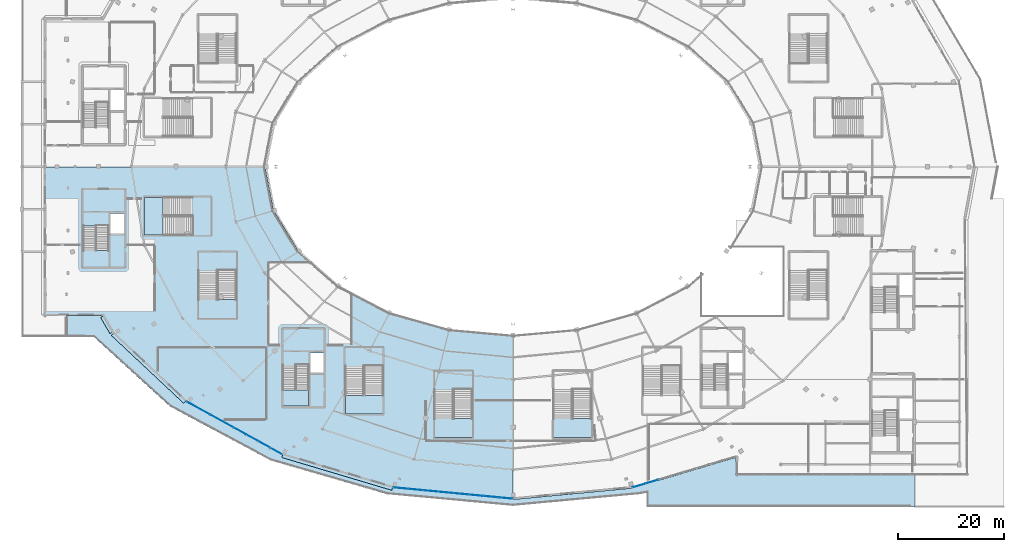
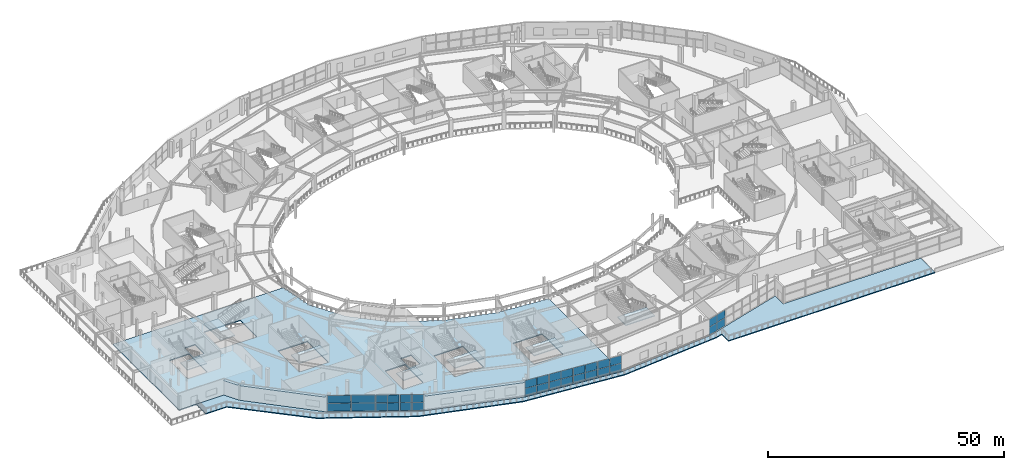
# One storey, part 62 of 107: 35 plates, 9 slabs, 16 elements without a shape of their own.
"""IFC4 building model written with IfcOpenShell, lengths in metres."""

from ifc_helpers import new_model, si_unit, direction, frame, origin, origin_2d, place, context, subcontext, project, spatial, polyline, rectangle, outline, extrude, material, layer, layer_set, type_object, element, aggregate, save


model = new_model("IFC4")

# Units and contexts
model_context = context("Model", 3, precision=1e-05, world=origin(), true_north=direction((0.0, 1.0)))
body_context = subcontext(model_context, "Body", "Model", "MODEL_VIEW")
ifc_project = project(units=[si_unit("LENGTHUNIT", "METRE"), si_unit("AREAUNIT", "SQUARE_METRE"), si_unit("VOLUMEUNIT", "CUBIC_METRE"), si_unit("PLANEANGLEUNIT", "RADIAN"), si_unit("MASSUNIT", "GRAM", prefix="KILO")], contexts=[model_context])

# Site, building, storey
site_placement = place(None, origin())
site = spatial("IfcSite", under=ifc_project, at=site_placement, CompositionType="ELEMENT")
building_placement = place(site_placement, origin())
building = spatial("IfcBuilding", under=site, at=building_placement, Name="Kalgoora Escarpment Arena", CompositionType="ELEMENT")
storey_placement = place(building_placement, frame((0.0, 0.0, 5.39990234375)))
storey = spatial("IfcBuildingStorey", under=building, at=storey_placement, Name="L01", CompositionType="ELEMENT", Elevation=5.39990234375)

# Curtain wall, plates
ifc_material_1 = material(Name=" Champagne anodised aluminium & double-glazed low-E", Category="aluminium")
ifc_layer_1 = layer(ifc_material_1, 0.166015625)
ifc_layer_set_1 = layer_set([ifc_layer_1], Name="CW-UNIT-09")
curtain_wall_type_1 = type_object("IfcCurtainWallType", Name="CW-UNIT-09", PredefinedType="NOTDEFINED", material=ifc_layer_set_1)
curtain_wall_1_placement = place(storey_placement, origin())
curtain_wall_1 = element("IfcCurtainWall", 1, at=curtain_wall_1_placement, inside=storey, type_object=curtain_wall_type_1, Name="L01 unitised facade curtain wall 008", PredefinedType="NOTDEFINED")
ifc_material_2 = material(Name="Low-E double-glazed insulated glass", Category="glass")
ifc_layer_2 = layer(ifc_material_2, 0.028076171875)
ifc_layer_set_2 = layer_set([ifc_layer_2], Name="PLT-CW-GLAZ-28")
plate_type_1 = type_object("IfcPlateType", Name="PLT-CW-GLAZ-28", PredefinedType="CURTAIN_PANEL", material=ifc_layer_set_2)
plate_1_placement = place(storey_placement, frame((118.484619140625, 4.721435546875, 0.080078125), z_axis=(0.0, 0.0, 1.0), x_axis=(-0.958341021905, -0.285626479399, 0.0)))
plate_1 = element("IfcPlate", 2, at=plate_1_placement, type_object=plate_type_1, Name="CW-09 panel 1.1", PredefinedType="CURTAIN_PANEL", context=body_context, shape_type="SweptSolid", body=[
    extrude(rectangle(XDim=2.418701171875, YDim=0.028076171875, at=origin_2d()), origin(), (0.0, 0.0, 1.0), 2.014892578125),
])
plate_2_placement = place(storey_placement, frame((118.484619140625, 4.721435546875, 2.155029296875), z_axis=(0.0, 0.0, 1.0), x_axis=(-0.958341021905, -0.285626479399, 0.0)))
plate_2 = element("IfcPlate", 3, at=plate_2_placement, type_object=plate_type_1, Name="CW-09 panel 1.2", PredefinedType="CURTAIN_PANEL", context=body_context, shape_type="SweptSolid", body=[
    extrude(rectangle(XDim=2.418701171875, YDim=0.028076171875, at=origin_2d()), origin(), (0.0, 0.0, 1.0), 1.9951171875),
])
plate_3_placement = place(storey_placement, frame((116.104248046875, 4.011962890625, 0.080078125), z_axis=(0.0, 0.0, 1.0), x_axis=(-0.958341021905, -0.285626479399, 0.0)))
plate_3 = element("IfcPlate", 4, at=plate_3_placement, type_object=plate_type_1, Name="CW-09 panel 2.1", PredefinedType="CURTAIN_PANEL", context=body_context, shape_type="SweptSolid", body=[
    extrude(rectangle(XDim=2.418701171875, YDim=0.028076171875, at=origin_2d()), origin(), (0.0, 0.0, 1.0), 2.014892578125),
])
plate_4_placement = place(storey_placement, frame((116.104248046875, 4.011962890625, 2.155029296875), z_axis=(0.0, 0.0, 1.0), x_axis=(-0.958341021905, -0.285626479399, 0.0)))
plate_4 = element("IfcPlate", 5, at=plate_4_placement, type_object=plate_type_1, Name="CW-09 panel 2.2", PredefinedType="CURTAIN_PANEL", context=body_context, shape_type="SweptSolid", body=[
    extrude(rectangle(XDim=2.418701171875, YDim=0.028076171875, at=origin_2d()), origin(), (0.0, 0.0, 1.0), 1.9951171875),
])
aggregate(curtain_wall_1, [plate_1, plate_2, plate_3, plate_4])

ifc_material_3 = material(Name=" Champagne anodised aluminium & double-glazed low-E", Category="aluminium")
ifc_layer_3 = layer(ifc_material_3, 0.154052734375)
ifc_layer_set_3 = layer_set([ifc_layer_3], Name="CW-UNIT-11")
curtain_wall_type_2 = type_object("IfcCurtainWallType", Name="CW-UNIT-11", PredefinedType="NOTDEFINED", material=ifc_layer_set_3)
curtain_wall_2_placement = place(storey_placement, origin())
curtain_wall_2 = element("IfcCurtainWall", 6, at=curtain_wall_2_placement, inside=storey, type_object=curtain_wall_type_2, Name="L01 unitised facade curtain wall 010", PredefinedType="NOTDEFINED")
plate_5_placement = place(storey_placement, frame((85.334716796875, 2.189697265625, 0.0751953125), z_axis=(0.0, 0.0, 1.0), x_axis=(-0.995543729213, 0.094301024516, 0.0)))
plate_5 = element("IfcPlate", 7, at=plate_5_placement, type_object=plate_type_1, Name="CW-11 panel 1.1", PredefinedType="CURTAIN_PANEL", context=body_context, shape_type="SweptSolid", body=[
    extrude(rectangle(XDim=2.687255859375, YDim=0.028076171875, at=origin_2d()), origin(), (0.0, 0.0, 1.0), 2.0224609375),
])
plate_6_placement = place(storey_placement, frame((85.334716796875, 2.189697265625, 2.152587890625), z_axis=(0.0, 0.0, 1.0), x_axis=(-0.995543729213, 0.094301024516, 0.0)))
plate_6 = element("IfcPlate", 8, at=plate_6_placement, type_object=plate_type_1, Name="CW-11 panel 1.2", PredefinedType="CURTAIN_PANEL", context=body_context, shape_type="SweptSolid", body=[
    extrude(rectangle(XDim=2.687255859375, YDim=0.028076171875, at=origin_2d()), origin(), (0.0, 0.0, 1.0), 2.00244140625),
])
plate_7_placement = place(storey_placement, frame((82.599853515625, 2.44873046875, 0.0751953125), z_axis=(0.0, 0.0, 1.0), x_axis=(-0.995543729213, 0.094301024516, 0.0)))
plate_7 = element("IfcPlate", 9, at=plate_7_placement, type_object=plate_type_1, Name="CW-11 panel 2.1", PredefinedType="CURTAIN_PANEL", context=body_context, shape_type="SweptSolid", body=[
    extrude(rectangle(XDim=2.687255859375, YDim=0.028076171875, at=origin_2d()), origin(), (0.0, 0.0, 1.0), 2.0224609375),
])
plate_8_placement = place(storey_placement, frame((82.599853515625, 2.44873046875, 2.152587890625), z_axis=(0.0, 0.0, 1.0), x_axis=(-0.995543729213, 0.094301024516, 0.0)))
plate_8 = element("IfcPlate", 10, at=plate_8_placement, type_object=plate_type_1, Name="CW-11 panel 2.2", PredefinedType="CURTAIN_PANEL", context=body_context, shape_type="SweptSolid", body=[
    extrude(rectangle(XDim=2.687255859375, YDim=0.028076171875, at=origin_2d()), origin(), (0.0, 0.0, 1.0), 2.00244140625),
])
aggregate(curtain_wall_2, [plate_5, plate_6, plate_7, plate_8])

ifc_material_4 = material(Name=" Champagne anodised aluminium & double-glazed low-E", Category="aluminium")
ifc_layer_4 = layer(ifc_material_4, 0.162109375)
ifc_layer_set_4 = layer_set([ifc_layer_4], Name="CW-UNIT-13")
curtain_wall_type_3 = type_object("IfcCurtainWallType", Name="CW-UNIT-13", PredefinedType="NOTDEFINED", material=ifc_layer_set_4)
curtain_wall_3_placement = place(storey_placement, origin())
curtain_wall_3 = element("IfcCurtainWall", 11, at=curtain_wall_3_placement, inside=storey, type_object=curtain_wall_type_3, Name="L01 unitised facade curtain wall 012", PredefinedType="NOTDEFINED")
plate_9_placement = place(storey_placement, frame((74.063720703125, 3.257568359375, 0.0751953125), z_axis=(0.0, 0.0, 1.0), x_axis=(-0.99554234235, 0.094315664594, 0.0)))
plate_9 = element("IfcPlate", 12, at=plate_9_placement, type_object=plate_type_1, Name="CW-13 panel 1.1", PredefinedType="CURTAIN_PANEL", context=body_context, shape_type="SweptSolid", body=[
    extrude(rectangle(XDim=2.71240234375, YDim=0.028076171875, at=origin_2d()), origin(), (0.0, 0.0, 1.0), 2.0224609375),
])
plate_10_placement = place(storey_placement, frame((74.063720703125, 3.257568359375, 2.152587890625), z_axis=(0.0, 0.0, 1.0), x_axis=(-0.99554234235, 0.094315664594, 0.0)))
plate_10 = element("IfcPlate", 13, at=plate_10_placement, type_object=plate_type_1, Name="CW-13 panel 1.2", PredefinedType="CURTAIN_PANEL", context=body_context, shape_type="SweptSolid", body=[
    extrude(rectangle(XDim=2.71240234375, YDim=0.028076171875, at=origin_2d()), origin(), (0.0, 0.0, 1.0), 2.00244140625),
])
plate_11_placement = place(storey_placement, frame((71.303955078125, 3.51904296875, 0.0751953125), z_axis=(0.0, 0.0, 1.0), x_axis=(-0.99554234235, 0.094315664594, 0.0)))
plate_11 = element("IfcPlate", 14, at=plate_11_placement, type_object=plate_type_1, Name="CW-13 panel 2.1", PredefinedType="CURTAIN_PANEL", context=body_context, shape_type="SweptSolid", body=[
    extrude(rectangle(XDim=2.71240234375, YDim=0.028076171875, at=origin_2d()), origin(), (0.0, 0.0, 1.0), 2.0224609375),
])
plate_12_placement = place(storey_placement, frame((71.303955078125, 3.51904296875, 2.152587890625), z_axis=(0.0, 0.0, 1.0), x_axis=(-0.99554234235, 0.094315664594, 0.0)))
plate_12 = element("IfcPlate", 15, at=plate_12_placement, type_object=plate_type_1, Name="CW-13 panel 2.2", PredefinedType="CURTAIN_PANEL", context=body_context, shape_type="SweptSolid", body=[
    extrude(rectangle(XDim=2.71240234375, YDim=0.028076171875, at=origin_2d()), origin(), (0.0, 0.0, 1.0), 2.00244140625),
])
aggregate(curtain_wall_3, [plate_9, plate_10, plate_11, plate_12])

ifc_material_5 = material(Name=" Champagne anodised aluminium & double-glazed low-E", Category="aluminium")
ifc_layer_5 = layer(ifc_material_5, 0.14990234375)
ifc_layer_set_5 = layer_set([ifc_layer_5], Name="CW-UNIT-15")
curtain_wall_type_4 = type_object("IfcCurtainWallType", Name="CW-UNIT-15", PredefinedType="NOTDEFINED", material=ifc_layer_set_5)
curtain_wall_4_placement = place(storey_placement, origin())
curtain_wall_4 = element("IfcCurtainWall", 16, at=curtain_wall_4_placement, inside=storey, type_object=curtain_wall_type_4, Name="L01 unitised facade curtain wall 014", PredefinedType="NOTDEFINED")
plate_13_placement = place(storey_placement, frame((43.292236328125, 13.02001953125, 0.0751953125), z_axis=(0.0, 0.0, 1.0), x_axis=(-0.875436870424, 0.483332479669, 0.0)))
plate_13 = element("IfcPlate", 17, at=plate_13_placement, type_object=plate_type_1, Name="CW-15 panel 1.1", PredefinedType="CURTAIN_PANEL", context=body_context, shape_type="SweptSolid", body=[
    extrude(rectangle(XDim=2.432861328125, YDim=0.028076171875, at=origin_2d()), origin(), (0.0, 0.0, 1.0), 2.0224609375),
])
plate_14_placement = place(storey_placement, frame((43.292236328125, 13.02001953125, 2.152587890625), z_axis=(0.0, 0.0, 1.0), x_axis=(-0.875436870424, 0.483332479669, 0.0)))
plate_14 = element("IfcPlate", 18, at=plate_14_placement, type_object=plate_type_1, Name="CW-15 panel 1.2", PredefinedType="CURTAIN_PANEL", context=body_context, shape_type="SweptSolid", body=[
    extrude(rectangle(XDim=2.432861328125, YDim=0.028076171875, at=origin_2d()), origin(), (0.0, 0.0, 1.0), 2.00244140625),
])
plate_15_placement = place(storey_placement, frame((41.110107421875, 14.224853515625, 0.0751953125), z_axis=(0.0, 0.0, 1.0), x_axis=(-0.875436870424, 0.483332479669, 0.0)))
plate_15 = element("IfcPlate", 19, at=plate_15_placement, type_object=plate_type_1, Name="CW-15 panel 2.1", PredefinedType="CURTAIN_PANEL", context=body_context, shape_type="SweptSolid", body=[
    extrude(rectangle(XDim=2.432861328125, YDim=0.028076171875, at=origin_2d()), origin(), (0.0, 0.0, 1.0), 2.0224609375),
])
plate_16_placement = place(storey_placement, frame((41.110107421875, 14.224853515625, 2.152587890625), z_axis=(0.0, 0.0, 1.0), x_axis=(-0.875436870424, 0.483332479669, 0.0)))
plate_16 = element("IfcPlate", 20, at=plate_16_placement, type_object=plate_type_1, Name="CW-15 panel 2.2", PredefinedType="CURTAIN_PANEL", context=body_context, shape_type="SweptSolid", body=[
    extrude(rectangle(XDim=2.432861328125, YDim=0.028076171875, at=origin_2d()), origin(), (0.0, 0.0, 1.0), 2.00244140625),
])
aggregate(curtain_wall_4, [plate_13, plate_14, plate_15, plate_16])

ifc_material_6 = material(Name=" Champagne anodised aluminium & double-glazed low-E", Category="aluminium")
ifc_layer_6 = layer(ifc_material_6, 0.157958984375)
ifc_layer_set_6 = layer_set([ifc_layer_6], Name="CW-UNIT-17")
curtain_wall_type_5 = type_object("IfcCurtainWallType", Name="CW-UNIT-17", PredefinedType="NOTDEFINED", material=ifc_layer_set_6)
curtain_wall_5_placement = place(storey_placement, origin())
curtain_wall_5 = element("IfcCurtainWall", 21, at=curtain_wall_5_placement, inside=storey, type_object=curtain_wall_type_5, Name="L01 unitised facade curtain wall 016", PredefinedType="NOTDEFINED")
plate_17_placement = place(storey_placement, frame((33.170166015625, 18.608642578125, 0.0751953125), z_axis=(0.0, 0.0, 1.0), x_axis=(-0.87542250109, 0.483358505238, 0.0)))
plate_17 = element("IfcPlate", 22, at=plate_17_placement, type_object=plate_type_1, Name="CW-17 panel 1.1", PredefinedType="CURTAIN_PANEL", context=body_context, shape_type="SweptSolid", body=[
    extrude(rectangle(XDim=4.9755859375, YDim=0.028076171875, at=origin_2d()), origin(), (0.0, 0.0, 1.0), 2.0224609375),
])
plate_18_placement = place(storey_placement, frame((33.170166015625, 18.608642578125, 2.152587890625), z_axis=(0.0, 0.0, 1.0), x_axis=(-0.87542250109, 0.483358505238, 0.0)))
plate_18 = element("IfcPlate", 23, at=plate_18_placement, type_object=plate_type_1, Name="CW-17 panel 1.2", PredefinedType="CURTAIN_PANEL", context=body_context, shape_type="SweptSolid", body=[
    extrude(rectangle(XDim=4.9755859375, YDim=0.028076171875, at=origin_2d()), origin(), (0.0, 0.0, 1.0), 2.00244140625),
])
aggregate(curtain_wall_5, [plate_17, plate_18])

ifc_material_7 = material(Name=" Champagne anodised aluminium & double-glazed low-E", Category="aluminium")
ifc_layer_7 = layer(ifc_material_7, 0.14990234375)
ifc_layer_set_7 = layer_set([ifc_layer_7], Name="CW-UNIT-10")
curtain_wall_type_6 = type_object("IfcCurtainWallType", Name="CW-UNIT-10", PredefinedType="NOTDEFINED", material=ifc_layer_set_7)
curtain_wall_6_placement = place(storey_placement, origin())
curtain_wall_6 = element("IfcCurtainWall", 24, at=curtain_wall_6_placement, inside=storey, type_object=curtain_wall_type_6, Name="L01 unitised facade curtain wall 009", PredefinedType="NOTDEFINED")
ifc_material_8 = material(Name="Acoustic laminated solar-control glass", Category="glass")
ifc_layer_8 = layer(ifc_material_8, 0.033935546875)
ifc_layer_set_8 = layer_set([ifc_layer_8], Name="PLT-CW-GLAZ-34")
plate_type_2 = type_object("IfcPlateType", Name="PLT-CW-GLAZ-34", PredefinedType="CURTAIN_PANEL", material=ifc_layer_set_8)
plate_19_placement = place(storey_placement, frame((91.000244140625, 1.653076171875, 0.080078125), z_axis=(0.0, 0.0, 1.0), x_axis=(-0.995543858863, 0.094299655777, 0.0)))
plate_19 = element("IfcPlate", 25, at=plate_19_placement, type_object=plate_type_2, Name="CW-10 panel 1.1", PredefinedType="CURTAIN_PANEL", context=body_context, shape_type="SweptSolid", body=[
    extrude(rectangle(XDim=2.704833984375, YDim=0.033935546875, at=origin_2d()), origin(), (0.0, 0.0, 1.0), 2.014892578125),
])
plate_20_placement = place(storey_placement, frame((91.000244140625, 1.653076171875, 2.155029296875), z_axis=(0.0, 0.0, 1.0), x_axis=(-0.995543858863, 0.094299655777, 0.0)))
plate_20 = element("IfcPlate", 26, at=plate_20_placement, type_object=plate_type_2, Name="CW-10 panel 1.2", PredefinedType="CURTAIN_PANEL", context=body_context, shape_type="SweptSolid", body=[
    extrude(rectangle(XDim=2.704833984375, YDim=0.033935546875, at=origin_2d()), origin(), (0.0, 0.0, 1.0), 1.9951171875),
])
plate_21_placement = place(storey_placement, frame((88.242919921875, 1.914306640625, 0.080078125), z_axis=(0.0, 0.0, 1.0), x_axis=(-0.995543858863, 0.094299655777, 0.0)))
plate_21 = element("IfcPlate", 27, at=plate_21_placement, type_object=plate_type_2, Name="CW-10 panel 2.1", PredefinedType="CURTAIN_PANEL", context=body_context, shape_type="SweptSolid", body=[
    extrude(rectangle(XDim=2.704833984375, YDim=0.033935546875, at=origin_2d()), origin(), (0.0, 0.0, 1.0), 2.014892578125),
])
plate_22_placement = place(storey_placement, frame((88.242919921875, 1.914306640625, 2.155029296875), z_axis=(0.0, 0.0, 1.0), x_axis=(-0.995543858863, 0.094299655777, 0.0)))
plate_22 = element("IfcPlate", 28, at=plate_22_placement, type_object=plate_type_2, Name="CW-10 panel 2.2", PredefinedType="CURTAIN_PANEL", context=body_context, shape_type="SweptSolid", body=[
    extrude(rectangle(XDim=2.704833984375, YDim=0.033935546875, at=origin_2d()), origin(), (0.0, 0.0, 1.0), 1.9951171875),
])
aggregate(curtain_wall_6, [plate_19, plate_20, plate_21, plate_22])

ifc_material_9 = material(Name=" Champagne anodised aluminium & double-glazed low-E", Category="aluminium")
ifc_layer_9 = layer(ifc_material_9, 0.157958984375)
ifc_layer_set_9 = layer_set([ifc_layer_9], Name="CW-UNIT-12")
curtain_wall_type_7 = type_object("IfcCurtainWallType", Name="CW-UNIT-12", PredefinedType="NOTDEFINED", material=ifc_layer_set_9)
curtain_wall_7_placement = place(storey_placement, origin())
curtain_wall_7 = element("IfcCurtainWall", 29, at=curtain_wall_7_placement, inside=storey, type_object=curtain_wall_type_7, Name="L01 unitised facade curtain wall 011", PredefinedType="NOTDEFINED")
plate_23_placement = place(storey_placement, frame((79.70556640625, 2.72314453125, 0.0751953125), z_axis=(0.0, 0.0, 1.0), x_axis=(-0.995543729213, 0.094301024516, 0.0)))
plate_23 = element("IfcPlate", 30, at=plate_23_placement, type_object=plate_type_2, Name="CW-12 panel 1.1", PredefinedType="CURTAIN_PANEL", context=body_context, shape_type="SweptSolid", body=[
    extrude(rectangle(XDim=2.687255859375, YDim=0.033935546875, at=origin_2d()), origin(), (0.0, 0.0, 1.0), 2.0224609375),
])
plate_24_placement = place(storey_placement, frame((79.70556640625, 2.72314453125, 2.152587890625), z_axis=(0.0, 0.0, 1.0), x_axis=(-0.995543729213, 0.094301024516, 0.0)))
plate_24 = element("IfcPlate", 31, at=plate_24_placement, type_object=plate_type_2, Name="CW-12 panel 1.2", PredefinedType="CURTAIN_PANEL", context=body_context, shape_type="SweptSolid", body=[
    extrude(rectangle(XDim=2.687255859375, YDim=0.033935546875, at=origin_2d()), origin(), (0.0, 0.0, 1.0), 2.00244140625),
])
plate_25_placement = place(storey_placement, frame((76.970458984375, 2.982177734375, 0.0751953125), z_axis=(0.0, 0.0, 1.0), x_axis=(-0.995543729213, 0.094301024516, 0.0)))
plate_25 = element("IfcPlate", 32, at=plate_25_placement, type_object=plate_type_2, Name="CW-12 panel 2.1", PredefinedType="CURTAIN_PANEL", context=body_context, shape_type="SweptSolid", body=[
    extrude(rectangle(XDim=2.687255859375, YDim=0.033935546875, at=origin_2d()), origin(), (0.0, 0.0, 1.0), 2.0224609375),
])
plate_26_placement = place(storey_placement, frame((76.970458984375, 2.982177734375, 2.152587890625), z_axis=(0.0, 0.0, 1.0), x_axis=(-0.995543729213, 0.094301024516, 0.0)))
plate_26 = element("IfcPlate", 33, at=plate_26_placement, type_object=plate_type_2, Name="CW-12 panel 2.2", PredefinedType="CURTAIN_PANEL", context=body_context, shape_type="SweptSolid", body=[
    extrude(rectangle(XDim=2.687255859375, YDim=0.033935546875, at=origin_2d()), origin(), (0.0, 0.0, 1.0), 2.00244140625),
])
aggregate(curtain_wall_7, [plate_23, plate_24, plate_25, plate_26])

ifc_material_10 = material(Name=" Champagne anodised aluminium & double-glazed low-E", Category="aluminium")
ifc_layer_10 = layer(ifc_material_10, 0.166015625)
ifc_layer_set_10 = layer_set([ifc_layer_10], Name="CW-UNIT-14")
curtain_wall_type_8 = type_object("IfcCurtainWallType", Name="CW-UNIT-14", PredefinedType="NOTDEFINED", material=ifc_layer_set_10)
curtain_wall_8_placement = place(storey_placement, origin())
curtain_wall_8 = element("IfcCurtainWall", 34, at=curtain_wall_8_placement, inside=storey, type_object=curtain_wall_type_8, Name="L01 unitised facade curtain wall 013", PredefinedType="NOTDEFINED")
plate_27_placement = place(storey_placement, frame((47.82958984375, 10.514892578125, 0.0751953125), z_axis=(0.0, 0.0, 1.0), x_axis=(-0.875430805123, 0.483343465293, 0.0)))
plate_27 = element("IfcPlate", 35, at=plate_27_placement, type_object=plate_type_2, Name="CW-14 panel 1.1", PredefinedType="CURTAIN_PANEL", context=body_context, shape_type="SweptSolid", body=[
    extrude(rectangle(XDim=2.457763671875, YDim=0.033935546875, at=origin_2d()), origin(), (0.0, 0.0, 1.0), 2.0224609375),
])
plate_28_placement = place(storey_placement, frame((47.82958984375, 10.514892578125, 2.152587890625), z_axis=(0.0, 0.0, 1.0), x_axis=(-0.875430805123, 0.483343465293, 0.0)))
plate_28 = element("IfcPlate", 36, at=plate_28_placement, type_object=plate_type_2, Name="CW-14 panel 1.2", PredefinedType="CURTAIN_PANEL", context=body_context, shape_type="SweptSolid", body=[
    extrude(rectangle(XDim=2.457763671875, YDim=0.033935546875, at=origin_2d()), origin(), (0.0, 0.0, 1.0), 2.00244140625),
])
plate_29_placement = place(storey_placement, frame((45.62548828125, 11.73193359375, 0.0751953125), z_axis=(0.0, 0.0, 1.0), x_axis=(-0.875430805123, 0.483343465293, 0.0)))
plate_29 = element("IfcPlate", 37, at=plate_29_placement, type_object=plate_type_2, Name="CW-14 panel 2.1", PredefinedType="CURTAIN_PANEL", context=body_context, shape_type="SweptSolid", body=[
    extrude(rectangle(XDim=2.457763671875, YDim=0.033935546875, at=origin_2d()), origin(), (0.0, 0.0, 1.0), 2.0224609375),
])
plate_30_placement = place(storey_placement, frame((45.62548828125, 11.73193359375, 2.152587890625), z_axis=(0.0, 0.0, 1.0), x_axis=(-0.875430805123, 0.483343465293, 0.0)))
plate_30 = element("IfcPlate", 38, at=plate_30_placement, type_object=plate_type_2, Name="CW-14 panel 2.2", PredefinedType="CURTAIN_PANEL", context=body_context, shape_type="SweptSolid", body=[
    extrude(rectangle(XDim=2.457763671875, YDim=0.033935546875, at=origin_2d()), origin(), (0.0, 0.0, 1.0), 2.00244140625),
])
aggregate(curtain_wall_8, [plate_27, plate_28, plate_29, plate_30])

ifc_material_11 = material(Name=" Champagne anodised aluminium & double-glazed low-E", Category="aluminium")
ifc_layer_11 = layer(ifc_material_11, 0.154052734375)
ifc_layer_set_11 = layer_set([ifc_layer_11], Name="CW-UNIT-16")
curtain_wall_type_9 = type_object("IfcCurtainWallType", Name="CW-UNIT-16", PredefinedType="NOTDEFINED", material=ifc_layer_set_11)
curtain_wall_9_placement = place(storey_placement, origin())
curtain_wall_9 = element("IfcCurtainWall", 39, at=curtain_wall_9_placement, inside=storey, type_object=curtain_wall_type_9, Name="L01 unitised facade curtain wall 015", PredefinedType="NOTDEFINED")
plate_31_placement = place(storey_placement, frame((37.696533203125, 16.109619140625, 0.0751953125), z_axis=(0.0, 0.0, 1.0), x_axis=(-0.875436870424, 0.483332479669, 0.0)))
plate_31 = element("IfcPlate", 40, at=plate_31_placement, type_object=plate_type_2, Name="CW-16 panel 1.1", PredefinedType="CURTAIN_PANEL", context=body_context, shape_type="SweptSolid", body=[
    extrude(rectangle(XDim=4.925537109375, YDim=0.033935546875, at=origin_2d()), origin(), (0.0, 0.0, 1.0), 2.0224609375),
])
plate_32_placement = place(storey_placement, frame((37.696533203125, 16.109619140625, 2.152587890625), z_axis=(0.0, 0.0, 1.0), x_axis=(-0.875436870424, 0.483332479669, 0.0)))
plate_32 = element("IfcPlate", 41, at=plate_32_placement, type_object=plate_type_2, Name="CW-16 panel 1.2", PredefinedType="CURTAIN_PANEL", context=body_context, shape_type="SweptSolid", body=[
    extrude(rectangle(XDim=4.925537109375, YDim=0.033935546875, at=origin_2d()), origin(), (0.0, 0.0, 1.0), 2.00244140625),
])
aggregate(curtain_wall_9, [plate_31, plate_32])

# Plates
ifc_material_12 = material(Name="Champagne anodised Art Deco solar brise-soleil hood", Category="aluminium")
ifc_layer_12 = layer(ifc_material_12, 0.1201171875)
ifc_layer_set_12 = layer_set([ifc_layer_12], Name="PLT-DECO-EYEBROW")
plate_type_3 = type_object("IfcPlateType", Name="PLT-DECO-EYEBROW", PredefinedType="SHEET", material=ifc_layer_set_12)
plate_33_placement = place(storey_placement, frame((59.35986328125, 6.554443359375, 3.969970703125), z_axis=(0.0, 0.0, 1.0), x_axis=(-0.958322574465, 0.285688367405, 0.0)))
element("IfcPlate", 42, at=plate_33_placement, inside=storey, type_object=plate_type_3, Name="L01 Art Deco horizontal solar brise-soleil eyebrow 027", PredefinedType="SHEET", context=body_context, shape_type="SweptSolid", body=[
    extrude(rectangle(XDim=21.594970703125, YDim=0.719970703125, at=origin_2d()), origin(), (0.0, 0.0, 1.0), 0.1201171875),
])
plate_34_placement = place(storey_placement, frame((23.8935546875, 26.13720703125, 3.969970703125), z_axis=(0.0, 0.0, 1.0), x_axis=(-0.729446353773, 0.684038023042, 0.0)))
element("IfcPlate", 43, at=plate_34_placement, inside=storey, type_object=plate_type_3, Name="L01 Art Deco horizontal solar brise-soleil eyebrow 028", PredefinedType="SHEET", context=body_context, shape_type="SweptSolid", body=[
    extrude(rectangle(XDim=18.654052734375, YDim=0.719970703125, at=origin_2d()), origin(), (0.0, 0.0, 1.0), 0.1201171875),
])
plate_35_placement = place(storey_placement, frame((16.010498046875, 34.295166015625, 3.969970703125), z_axis=(0.0, 0.0, 1.0), x_axis=(-0.498941577478, 0.866635622545, 0.0)))
element("IfcPlate", 44, at=plate_35_placement, inside=storey, type_object=plate_type_3, Name="L01 Art Deco horizontal solar brise-soleil eyebrow 029", PredefinedType="SHEET", context=body_context, shape_type="SweptSolid", body=[
    extrude(rectangle(XDim=3.508056640625, YDim=0.719970703125, at=origin_2d()), origin(), (0.0, 0.0, 1.0), 0.1201171875),
])

# Slab
ifc_material_13 = material(Name="Concrete N40 (fc' 40 MPa)", Category="concrete")
ifc_layer_13 = layer(ifc_material_13, 0.260009765625)
ifc_layer_set_13 = layer_set([ifc_layer_13], Name="SLB-CONC-260")
slab_type_1 = type_object("IfcSlabType", Name="SLB-CONC-260", PredefinedType="FLOOR", material=ifc_layer_set_13)
slab_1_placement = place(storey_placement, frame((0.0, 0.0, -0.260009765625)))
element("IfcSlab", 45, at=slab_1_placement, inside=storey, type_object=slab_type_1, Name="L01 concourse ring SW floor slab", PredefinedType="FLOOR", context=body_context, shape_type="SweptSolid", body=[
    extrude(outline(polyline([(69.8828125, 3.532958984375), (48.89990234375, 9.786865234375), (30.881591796875, 19.735107421875), (17.055908203125, 32.699951171875), (15.156005859375, 36.0), (4.199951171875, 36.0), (4.199951171875, 64.0), (45.800048828125, 64.0), (47.387939453125, 55.8212890625), (52.043212890625, 48.199951171875), (59.44873046875, 41.655517578125), (69.10009765625, 36.633544921875), (80.339111328125, 33.476806640625), (92.39990234375, 32.39990234375), (92.39990234375, 1.39990234375), (69.8828125, 3.532958984375)]), holes=[polyline([(77.64990234375, 21.949951171875), (77.64990234375, 13.050048828125), (84.75, 13.050048828125), (84.75, 21.949951171875), (77.64990234375, 21.949951171875)]), polyline([(60.85009765625, 26.35009765625), (60.85009765625, 17.449951171875), (67.949951171875, 17.449951171875), (67.949951171875, 26.35009765625), (60.85009765625, 26.35009765625)]), polyline([(49.14990234375, 26.64990234375), (49.14990234375, 18.949951171875), (53.949951171875, 18.949951171875), (53.949951171875, 26.64990234375), (49.14990234375, 26.64990234375)]), polyline([(54.25, 29.0), (54.25, 25.199951171875), (56.85009765625, 25.199951171875), (56.85009765625, 29.0), (54.25, 29.0)]), polyline([(33.25, 44.35009765625), (33.25, 35.449951171875), (40.35009765625, 35.449951171875), (40.35009765625, 44.35009765625), (33.25, 44.35009765625)]), polyline([(11.550048828125, 52.85009765625), (11.550048828125, 45.14990234375), (16.35009765625, 45.14990234375), (16.35009765625, 52.85009765625), (11.550048828125, 52.85009765625)]), polyline([(16.64990234375, 55.199951171875), (16.64990234375, 51.39990234375), (19.25, 51.39990234375), (19.25, 55.199951171875), (16.64990234375, 55.199951171875)]), polyline([(23.050048828125, 58.25), (23.050048828125, 51.14990234375), (31.949951171875, 51.14990234375), (31.949951171875, 58.25), (23.050048828125, 58.25)])]), origin(), (0.0, 0.0, 1.0), 0.260009765625),
])

# Stair, slab
ifc_material_14 = material(Name="Concrete N40 (fc' 40 MPa)", Category="concrete")
stair_type_1 = type_object("IfcStairType", Name="STR-EXIT-2", PredefinedType="HALF_TURN_STAIR", material=ifc_material_14)
stair_1_placement = place(storey_placement, origin())
stair_1 = element("IfcStair", 46, at=stair_1_placement, inside=storey, type_object=stair_type_1, Name="Fire-isolated exit stair ST02 (L01)", PredefinedType="HALF_TURN_STAIR")
ifc_material_15 = material(Name="Concrete N40 (fc' 40 MPa)", Category="concrete")
ifc_layer_14 = layer(ifc_material_15, 0.219970703125)
ifc_layer_set_14 = layer_set([ifc_layer_14], Name="SLB-ST-LAND-220")
slab_type_2 = type_object("IfcSlabType", Name="SLB-ST-LAND-220", PredefinedType="LANDING", material=ifc_layer_set_14)
slab_2_placement = place(storey_placement, frame((0.0, 0.0, 2.030029296875)))
slab_2 = element("IfcSlab", 47, at=slab_2_placement, type_object=slab_type_2, Name="ST02 L01 half-landing", PredefinedType="LANDING", context=body_context, shape_type="SweptSolid", body=[
    extrude(outline(polyline([(16.35009765625, 48.239990234375), (16.35009765625, 45.14990234375), (11.550048828125, 45.14990234375), (11.550048828125, 48.239990234375), (16.35009765625, 48.239990234375)])), origin(), (0.0, 0.0, 1.0), 0.219970703125),
])
aggregate(stair_1, [slab_2])

ifc_material_16 = material(Name="Concrete N40 (fc' 40 MPa)", Category="concrete")
stair_type_2 = type_object("IfcStairType", Name="STR-EXIT-1", PredefinedType="HALF_TURN_STAIR", material=ifc_material_16)
stair_2_placement = place(storey_placement, origin())
stair_2 = element("IfcStair", 48, at=stair_2_placement, inside=storey, type_object=stair_type_2, Name="Fire-isolated exit stair ST05 (L01)", PredefinedType="HALF_TURN_STAIR")
slab_3_placement = place(storey_placement, frame((0.0, 0.0, 2.030029296875)))
slab_3 = element("IfcSlab", 49, at=slab_3_placement, type_object=slab_type_2, Name="ST05 L01 half-landing", PredefinedType="LANDING", context=body_context, shape_type="SweptSolid", body=[
    extrude(outline(polyline([(53.949951171875, 22.0400390625), (53.949951171875, 18.949951171875), (49.14990234375, 18.949951171875), (49.14990234375, 22.0400390625), (53.949951171875, 22.0400390625)])), origin(), (0.0, 0.0, 1.0), 0.219970703125),
])
aggregate(stair_2, [slab_3])

ifc_material_17 = material(Name="Precast concrete N50 (fc' 50 MPa)", Category="concrete")
stair_type_3 = type_object("IfcStairType", Name="STR-STAD-1", PredefinedType="HALF_TURN_STAIR", material=ifc_material_17)
stair_3_placement = place(storey_placement, origin())
stair_3 = element("IfcStair", 50, at=stair_3_placement, inside=storey, type_object=stair_type_3, Name="Fire-isolated exit stair ST13 (L01)", PredefinedType="HALF_TURN_STAIR")
slab_4_placement = place(storey_placement, frame((0.0, 0.0, 2.030029296875)))
slab_4 = element("IfcSlab", 51, at=slab_4_placement, type_object=slab_type_2, Name="ST13 L01 half-landing", PredefinedType="LANDING", context=body_context, shape_type="SweptSolid", body=[
    extrude(outline(polyline([(67.949951171875, 21.0), (67.949951171875, 17.449951171875), (60.85009765625, 17.449951171875), (60.85009765625, 21.0), (67.949951171875, 21.0)])), origin(), (0.0, 0.0, 1.0), 0.219970703125),
])
aggregate(stair_3, [slab_4])

ifc_material_18 = material(Name="Precast concrete N50 (fc' 50 MPa)", Category="concrete")
stair_type_4 = type_object("IfcStairType", Name="STR-STAD-2", PredefinedType="HALF_TURN_STAIR", material=ifc_material_18)
stair_4_placement = place(storey_placement, origin())
stair_4 = element("IfcStair", 52, at=stair_4_placement, inside=storey, type_object=stair_type_4, Name="Fire-isolated exit stair ST14 (L01)", PredefinedType="HALF_TURN_STAIR")
slab_5_placement = place(storey_placement, frame((0.0, 0.0, 2.030029296875)))
slab_5 = element("IfcSlab", 53, at=slab_5_placement, type_object=slab_type_2, Name="ST14 L01 half-landing", PredefinedType="LANDING", context=body_context, shape_type="SweptSolid", body=[
    extrude(outline(polyline([(84.75, 16.60009765625), (84.75, 13.050048828125), (77.64990234375, 13.050048828125), (77.64990234375, 16.60009765625), (84.75, 16.60009765625)])), origin(), (0.0, 0.0, 1.0), 0.219970703125),
])
aggregate(stair_4, [slab_5])

ifc_material_19 = material(Name="Precast concrete N50 (fc' 50 MPa)", Category="concrete")
stair_type_5 = type_object("IfcStairType", Name="STR-STAD-3", PredefinedType="HALF_TURN_STAIR", material=ifc_material_19)
stair_5_placement = place(storey_placement, origin())
stair_5 = element("IfcStair", 54, at=stair_5_placement, inside=storey, type_object=stair_type_5, Name="Fire-isolated exit stair ST15 (L01)", PredefinedType="HALF_TURN_STAIR")
slab_6_placement = place(storey_placement, frame((0.0, 0.0, 2.030029296875)))
slab_6 = element("IfcSlab", 55, at=slab_6_placement, type_object=slab_type_2, Name="ST15 L01 half-landing", PredefinedType="LANDING", context=body_context, shape_type="SweptSolid", body=[
    extrude(outline(polyline([(107.14990234375, 16.60009765625), (107.14990234375, 13.050048828125), (100.050048828125, 13.050048828125), (100.050048828125, 16.60009765625), (107.14990234375, 16.60009765625)])), origin(), (0.0, 0.0, 1.0), 0.219970703125),
])
aggregate(stair_5, [slab_6])

stair_6_placement = place(storey_placement, origin())
stair_6 = element("IfcStair", 56, at=stair_6_placement, inside=storey, type_object=stair_type_4, Name="Fire-isolated exit stair ST18 (L01)", PredefinedType="HALF_TURN_STAIR")
slab_7_placement = place(storey_placement, frame((0.0, 0.0, 2.030029296875)))
slab_7 = element("IfcSlab", 57, at=slab_7_placement, type_object=slab_type_2, Name="ST18 L01 half-landing", PredefinedType="LANDING", context=body_context, shape_type="SweptSolid", body=[
    extrude(outline(polyline([(26.60009765625, 51.14990234375), (23.050048828125, 51.14990234375), (23.050048828125, 58.25), (26.60009765625, 58.25), (26.60009765625, 51.14990234375)])), origin(), (0.0, 0.0, 1.0), 0.219970703125),
])
aggregate(stair_6, [slab_7])

ifc_material_20 = material(Name="Precast concrete N50 (fc' 50 MPa)", Category="concrete")
stair_type_6 = type_object("IfcStairType", Name="STR-STAD-4", PredefinedType="HALF_TURN_STAIR", material=ifc_material_20)
stair_7_placement = place(storey_placement, origin())
stair_7 = element("IfcStair", 58, at=stair_7_placement, inside=storey, type_object=stair_type_6, Name="Fire-isolated exit stair ST20 (L01)", PredefinedType="HALF_TURN_STAIR")
slab_8_placement = place(storey_placement, frame((0.0, 0.0, 2.030029296875)))
slab_8 = element("IfcSlab", 59, at=slab_8_placement, type_object=slab_type_2, Name="ST20 L01 half-landing", PredefinedType="LANDING", context=body_context, shape_type="SweptSolid", body=[
    extrude(outline(polyline([(40.35009765625, 39.0), (40.35009765625, 35.449951171875), (33.25, 35.449951171875), (33.25, 39.0), (40.35009765625, 39.0)])), origin(), (0.0, 0.0, 1.0), 0.219970703125),
])
aggregate(stair_7, [slab_8])

# Slab
ifc_material_21 = material(Name="Concrete N40 (fc' 40 MPa)", Category="concrete")
ifc_layer_15 = layer(ifc_material_21, 0.25)
ifc_layer_set_15 = layer_set([ifc_layer_15], Name="SLB-TERR-250")
slab_type_3 = type_object("IfcSlabType", Name="SLB-TERR-250", PredefinedType="FLOOR", material=ifc_layer_set_15)
slab_9_placement = place(storey_placement, frame((0.0, 0.0, -0.25)))
element("IfcSlab", 60, at=slab_9_placement, inside=storey, type_object=slab_type_3, Name="L01 Lower Planted Elliptical Garden Promenade terrace slab", PredefinedType="FLOOR", context=body_context, shape_type="SweptSolid", body=[
    extrude(outline(polyline([(68.795654296875, 2.373779296875), (46.800048828125, 8.74755859375), (27.911865234375, 18.88671875), (13.5283203125, 32.0), (8.39990234375, 32.0), (8.39990234375, 36.0), (15.156005859375, 36.0), (17.055908203125, 32.699951171875), (30.881591796875, 19.735107421875), (48.89990234375, 9.786865234375), (69.8828125, 3.532958984375), (92.39990234375, 1.39990234375), (114.917236328125, 3.532958984375), (134.39990234375, 9.339599609375), (134.39990234375, 6.0), (168.0, 6.0), (168.0, 0.0), (117.60009765625, 0.0), (117.60009765625, 2.836181640625), (116.00439453125, 2.373779296875), (92.39990234375, 0.199951171875), (68.795654296875, 2.373779296875)])), origin(), (0.0, 0.0, 1.0), 0.25),
])

save(model, "model.ifc")
